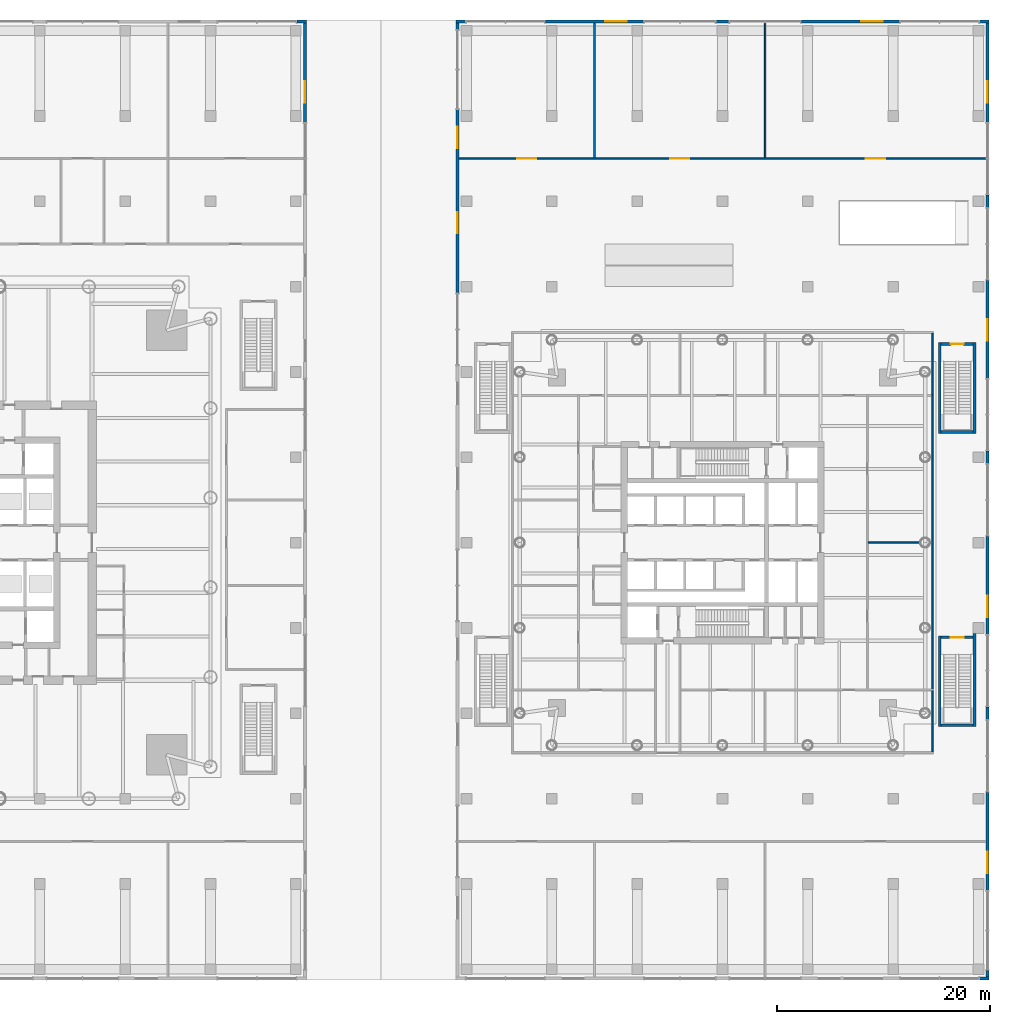
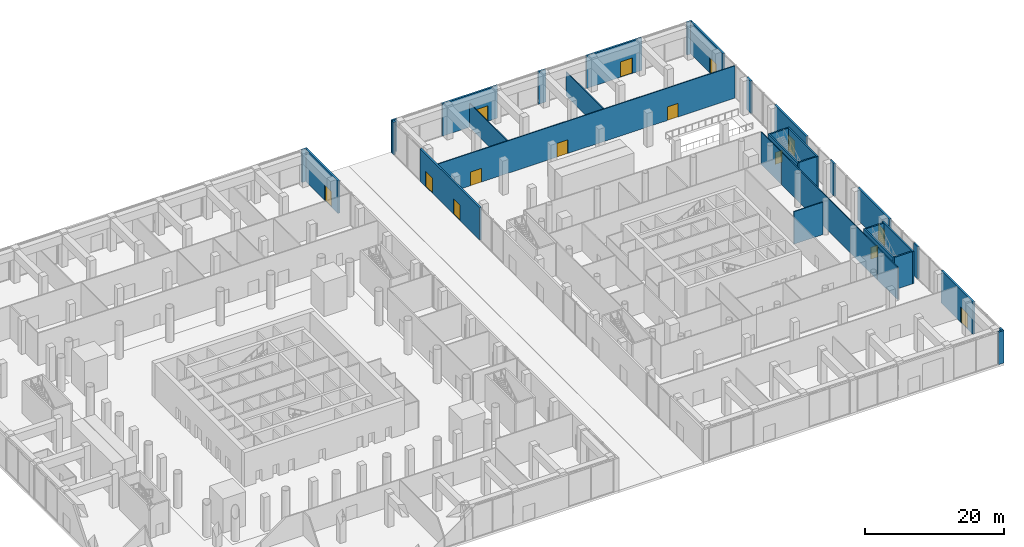
# One storey, part 33 of 39: 33 walls, 14 doors, 14 openings.
"""IFC4 building model written with IfcOpenShell, lengths in metres."""

import ifcopenshell
import ifcopenshell.guid

model = None  # the IFC model being written
_history = None  # IfcOwnerHistory: only IFC2X3 demands one
_inside = {}  # id of a spatial element -> (the spatial element, [elements in it])
_under = {}  # id of a project, library or spatial element -> (it, [spatial elements below it])
_declared = {}  # id of a project -> (the project, [libraries it declares])
_typed = {}  # id of a type object -> (the type object, [elements of that type])
_made_of = {}  # id of a material, layer set ... -> (it, [elements and type objects made of it])


def new_model(schema):
    """Start an empty IFC model of exactly this schema.

    Asked for "IFC4X3", IfcOpenShell would pick the latest addendum, in which some entities
    have other attributes; the version numbers below select the first issue.
    IFC2X3 requires an IfcOwnerHistory on every rooted entity: one is made here for all.
    """
    global model, _history
    if schema == "IFC4X3":
        model = ifcopenshell.file(schema_version=(4, 3, 0, 0))
    else:
        model = ifcopenshell.file(schema=schema)
    _inside.clear()
    _under.clear()
    _declared.clear()
    _typed.clear()
    _made_of.clear()
    _history = None
    if model.schema == "IFC2X3":
        org = make("IfcOrganization", Name="unknown")
        user = make(
            "IfcPersonAndOrganization",
            ThePerson=make("IfcPerson", FamilyName="unknown"),
            TheOrganization=org,
        )
        app = make(
            "IfcApplication",
            ApplicationDeveloper=org,
            Version="unknown",
            ApplicationFullName="unknown",
            ApplicationIdentifier="unknown",
        )
        _history = make(
            "IfcOwnerHistory",
            OwningUser=user,
            OwningApplication=app,
            ChangeAction="ADDED",
            CreationDate=0,
        )
    return model


def make(cls, **values):
    """One entity of the class cls with the attributes given. An attribute that is None is left unset."""
    return model.create_entity(
        cls, **{name: value for name, value in values.items() if value is not None}
    )


def rooted(cls, **values):
    """An entity with a GlobalId (a new one), such as an element, a storey or a relation."""
    return make(cls, GlobalId=ifcopenshell.guid.new(), OwnerHistory=_history, **values)


def si_unit(unit_type, name, prefix=None):
    """IfcSIUnit, for example si_unit("LENGTHUNIT", "METRE", prefix="MILLI")."""
    return make("IfcSIUnit", UnitType=unit_type, Prefix=prefix, Name=name)


def assignment(units):
    """IfcUnitAssignment: the units of a project."""
    return None if units is None else make("IfcUnitAssignment", Units=units)


def point(xyz):
    """IfcCartesianPoint."""
    return None if xyz is None else make("IfcCartesianPoint", Coordinates=xyz)


def direction(xyz):
    """IfcDirection."""
    return None if xyz is None else make("IfcDirection", DirectionRatios=xyz)


def frame(location, z_axis=None, x_axis=None):
    """IfcAxis2Placement3D, a coordinate frame: its origin and axes. An axis left out is left unset."""
    return make(
        "IfcAxis2Placement3D",
        Location=point(location),
        Axis=direction(z_axis),
        RefDirection=direction(x_axis),
    )


def frame_2d(location, x_axis=None):
    """IfcAxis2Placement2D, a coordinate frame in the plane: its origin and x axis."""
    return make(
        "IfcAxis2Placement2D", Location=point(location), RefDirection=direction(x_axis)
    )


def origin():
    """The frame at (0, 0, 0) with its axes left unset."""
    return frame((0.0, 0.0, 0.0))


def place(relative_to, where):
    """IfcLocalPlacement: puts the frame where relative to a parent placement (None: the world)."""
    return make(
        "IfcLocalPlacement", PlacementRelTo=relative_to, RelativePlacement=where
    )


def context(
    kind, dimensions, precision=None, world=None, true_north=None, identifier=None
):
    """IfcGeometricRepresentationContext, for example the 3D "Model" context."""
    return make(
        "IfcGeometricRepresentationContext",
        ContextIdentifier=identifier,
        ContextType=kind,
        CoordinateSpaceDimension=dimensions,
        Precision=precision,
        WorldCoordinateSystem=world,
        TrueNorth=true_north,
    )


def subcontext(parent, identifier, kind, view, scale=None):
    """IfcGeometricRepresentationSubContext, for example "Body" below "Model"."""
    return make(
        "IfcGeometricRepresentationSubContext",
        ContextIdentifier=identifier,
        ContextType=kind,
        ParentContext=parent,
        TargetScale=scale,
        TargetView=view,
    )


def project(units=None, contexts=None):
    """IfcProject with its units and contexts."""
    return rooted(
        "IfcProject",
        Name="project",
        RepresentationContexts=contexts,
        UnitsInContext=assignment(units),
    )


def spatial(cls, under=None, at=None, **own):
    """A site, building, storey or space (cls), placed at a placement, below another one or the project."""
    s = rooted(cls, ObjectPlacement=at, **own)
    if under is not None:
        _under.setdefault(under.id(), (under, []))[1].append(s)
    return s


def profile(cls, at=None, kind="AREA", **sizes):
    """A parametric profile (cls). Its sizes go by their IFC names, for example OverallWidth=200.0."""
    return make(cls, ProfileType=kind, Position=at, **sizes)


def rectangle(**sizes):
    """IfcRectangleProfileDef."""
    return profile("IfcRectangleProfileDef", **sizes)


def extrude(swept, where, along, depth):
    """IfcExtrudedAreaSolid: the profile swept, set in the frame where, extruded along a direction by depth."""
    return make(
        "IfcExtrudedAreaSolid",
        SweptArea=swept,
        Position=where,
        ExtrudedDirection=direction(along),
        Depth=depth,
    )


def shape(context_of_items, identifier, shape_type, items):
    """IfcShapeRepresentation: the items that make up one representation, for example the "Body"."""
    return make(
        "IfcShapeRepresentation",
        ContextOfItems=context_of_items,
        RepresentationIdentifier=identifier,
        RepresentationType=shape_type,
        Items=items,
    )


def material(Name=None, Category=None):
    """IfcMaterial."""
    return make("IfcMaterial", Name=Name, Category=Category)


def layer(
    of_material, thickness, ventilated=None, Name=None, Category=None, Priority=None
):
    """IfcMaterialLayer: one layer of a wall or slab, of a material (None: an air gap)."""
    return make(
        "IfcMaterialLayer",
        Material=of_material,
        LayerThickness=thickness,
        IsVentilated=ventilated,
        Name=Name,
        Category=Category,
        Priority=Priority,
    )


def layer_set(layers, Name=None):
    """IfcMaterialLayerSet."""
    return make("IfcMaterialLayerSet", MaterialLayers=layers, LayerSetName=Name)


def made_of(thing, what):
    """Note that an element or type object is made of a material, layer set ...; save() writes the relation."""
    if what is not None:
        _made_of.setdefault(what.id(), (what, []))[1].append(thing)
    return thing


def type_object(cls, material=None, **own):
    """A type object (cls), such as IfcWallType, which elements share."""
    return made_of(rooted(cls, **own), material)


def element(
    cls,
    number,
    at=None,
    inside=None,
    cuts=None,
    type_object=None,
    material=None,
    context=None,
    identifier="Body",
    shape_type=None,
    held_by="IfcProductDefinitionShape",
    body=None,
    shapes=None,
    **own,
):
    """One element of the class cls, such as IfcWall. Its Tag is "e" and its number.

    at: its placement. inside: the storey or other place that contains it. cuts: it is an
    opening in that element (IfcRelVoidsElement). A single representation is given by context,
    identifier, shape_type and body (its items); several are given by shapes. held_by: the class
    of the entity that holds the representations. save() writes the other relations.
    """
    e = rooted(cls, Tag="e%d" % number, ObjectPlacement=at, **own)
    if body is not None:
        shapes = [shape(context, identifier, shape_type, body)]
    if shapes is not None:
        e.Representation = make(held_by, Representations=shapes)
    if inside is not None:
        _inside.setdefault(inside.id(), (inside, []))[1].append(e)
    if cuts is not None:
        rooted(
            "IfcRelVoidsElement", RelatingBuildingElement=cuts, RelatedOpeningElement=e
        )
    if type_object is not None:
        _typed.setdefault(type_object.id(), (type_object, []))[1].append(e)
    return made_of(e, material)


def fill(opening, filler):
    """IfcRelFillsElement: the door or window that sits in an opening."""
    return rooted(
        "IfcRelFillsElement",
        RelatingOpeningElement=opening,
        RelatedBuildingElement=filler,
    )


def aggregate(whole, parts):
    """IfcRelAggregates: a whole, such as a stair, and the parts it consists of."""
    return rooted("IfcRelAggregates", RelatingObject=whole, RelatedObjects=parts)


def save(model, path):
    """Write the relations noted so far, then the file.

    IfcRelAggregates (storeys below a building ...), IfcRelContainedInSpatialStructure (elements
    in a storey), IfcRelDefinesByType, IfcRelAssociatesMaterial and IfcRelDeclares: one each for
    every whole, place, type object, material and project.
    """
    for whole, parts in _under.values():
        aggregate(whole, parts)
    for where, things in _inside.values():
        rooted(
            "IfcRelContainedInSpatialStructure",
            RelatedElements=things,
            RelatingStructure=where,
        )
    for kind, things in _typed.values():
        rooted("IfcRelDefinesByType", RelatedObjects=things, RelatingType=kind)
    for what, things in _made_of.values():
        rooted("IfcRelAssociatesMaterial", RelatedObjects=things, RelatingMaterial=what)
    for by, libraries in _declared.values():
        rooted("IfcRelDeclares", RelatingContext=by, RelatedDefinitions=libraries)
    model.write(path)


model = new_model("IFC4")

# Units and contexts
model_context = context("Model", 3, precision=1e-05, world=origin(), true_north=direction((0.0, 1.0)))
body_context = subcontext(model_context, "Body", "Model", "MODEL_VIEW")
ifc_project = project(units=[si_unit("LENGTHUNIT", "METRE"), si_unit("AREAUNIT", "SQUARE_METRE"), si_unit("VOLUMEUNIT", "CUBIC_METRE"), si_unit("PLANEANGLEUNIT", "RADIAN"), si_unit("MASSUNIT", "GRAM", prefix="KILO")], contexts=[model_context])

# Site, building, storey
site_placement = place(None, origin())
site = spatial("IfcSite", under=ifc_project, at=site_placement, CompositionType="ELEMENT")
building_placement = place(site_placement, origin())
building = spatial("IfcBuilding", under=site, at=building_placement, Name="Ostroluk Exchange", CompositionType="ELEMENT")
storey_placement = place(building_placement, origin())
storey = spatial("IfcBuildingStorey", under=building, at=storey_placement, Name="L00", CompositionType="ELEMENT", Elevation=0.0)

# Walls
ifc_material_1 = material(Name="Concrete blockwork", Category="masonry")
ifc_layer_1 = layer(ifc_material_1, 0.25)
ifc_layer_set_1 = layer_set([ifc_layer_1], Name="Blockwork stair enclosure wall 250")
wall_type_1 = type_object("IfcWallType", Name="Blockwork stair enclosure wall 250", PredefinedType="SOLIDWALL", material=ifc_layer_set_1)
wall_1_placement = place(storey_placement, frame((137.375, 28.75, 0.0), z_axis=(0.0, 0.0, 1.0), x_axis=(0.0, 1.0, 0.0)))
element("IfcWall", 1, at=wall_1_placement, inside=storey, type_object=wall_type_1, Name="Stair PS7 enclosure wall", PredefinedType="SOLIDWALL", context=body_context, shape_type="SweptSolid", body=[
    extrude(rectangle(XDim=8.5, YDim=0.25, at=frame_2d((4.25, 0.0))), origin(), (0.0, 0.0, 1.0), 5.699951171875),
])
wall_2_placement = place(storey_placement, frame((140.625, 28.75, 0.0), z_axis=(0.0, 0.0, 1.0), x_axis=(0.0, 1.0, 0.0)))
element("IfcWall", 2, at=wall_2_placement, inside=storey, type_object=wall_type_1, Name="Stair PS7 enclosure wall", PredefinedType="SOLIDWALL", context=body_context, shape_type="SweptSolid", body=[
    extrude(rectangle(XDim=8.75, YDim=0.25, at=frame_2d((4.375, 0.0))), origin(), (0.0, 0.0, 1.0), 5.699951171875),
])
wall_3_placement = place(storey_placement, frame((137.5, 28.875, 0.0), z_axis=(0.0, 0.0, 1.0), x_axis=(1.0, 0.0, 0.0)))
element("IfcWall", 3, at=wall_3_placement, inside=storey, type_object=wall_type_1, Name="Stair PS7 enclosure wall", PredefinedType="SOLIDWALL", context=body_context, shape_type="SweptSolid", body=[
    extrude(rectangle(XDim=3.0, YDim=0.25, at=frame_2d((1.5, 0.0))), origin(), (0.0, 0.0, 1.0), 5.699951171875),
])

# Wall, opening, door
wall_4_placement = place(storey_placement, frame((137.5, 37.125, 0.0), z_axis=(0.0, 0.0, 1.0), x_axis=(1.0, 0.0, 0.0)))
wall_4 = element("IfcWall", 4, at=wall_4_placement, inside=storey, type_object=wall_type_1, Name="Stair PS7 enclosure wall", PredefinedType="SOLIDWALL", context=body_context, shape_type="SweptSolid", body=[
    extrude(rectangle(XDim=3.0, YDim=0.25, at=frame_2d((1.5, 0.0))), origin(), (0.0, 0.0, 1.0), 5.699951171875),
])
opening_1_placement = place(wall_4_placement, frame((0.89990234375, 0.0, 0.0)))
opening_1 = element("IfcOpeningElement", 5, at=opening_1_placement, cuts=wall_4, Name="Opening FD60S", PredefinedType="OPENING", context=body_context, shape_type="SweptSolid", body=[
    extrude(rectangle(XDim=1.199951171875, YDim=2.10009765625, at=frame_2d((0.60009765625, 1.050048828125))), frame((0.0, 0.135009765625, 0.0), z_axis=(0.0, -1.0, 0.0), x_axis=(1.0, 0.0, 0.0)), (0.0, 0.0, 1.0), 0.27001953125),
])
ifc_material_2 = material(Name="Steel", Category="steel")
door_type_1 = type_object("IfcDoorType", Name="Stair door EI 60 1200 x 2100", OperationType="SINGLE_SWING_LEFT", PredefinedType="DOOR", material=ifc_material_2)
door_1_placement = place(opening_1_placement, origin())
door_1 = element("IfcDoor", 6, at=door_1_placement, inside=storey, type_object=door_type_1, Name="Stair PS7 door", OperationType="SINGLE_SWING_LEFT", OverallHeight=2.10009765625, OverallWidth=1.199951171875, PredefinedType="DOOR", context=body_context, shape_type="SweptSolid", body=[
    extrude(rectangle(XDim=1.199951171875, YDim=2.10009765625, at=frame_2d((0.60009765625, 1.050048828125))), frame((0.0, 0.02490234375, 0.0), z_axis=(0.0, -1.0, 0.0), x_axis=(1.0, 0.0, 0.0)), (0.0, 0.0, 1.0), 0.050048828125),
])
fill(opening_1, door_1)

# Walls
for number, where, z_axis, x_axis, name in (
    (7, (137.375, 56.25, 0.0), (0.0, 0.0, 1.0), (0.0, 1.0, 0.0), "Stair PS8 enclosure wall"),
    (8, (140.625, 56.25, 0.0), (0.0, 0.0, 1.0), (0.0, 1.0, 0.0), "Stair PS8 enclosure wall"),
):
    element("IfcWall", number, at=place(storey_placement, frame(where, z_axis=z_axis, x_axis=x_axis)), inside=storey, type_object=wall_type_1, Name=name, PredefinedType="SOLIDWALL", context=body_context, shape_type="SweptSolid", body=[
        extrude(rectangle(XDim=8.5, YDim=0.25, at=frame_2d((4.25, 0.0))), origin(), (0.0, 0.0, 1.0), 5.699951171875),
    ])
wall_5_placement = place(storey_placement, frame((137.5, 56.375, 0.0), z_axis=(0.0, 0.0, 1.0), x_axis=(1.0, 0.0, 0.0)))
element("IfcWall", 9, at=wall_5_placement, inside=storey, type_object=wall_type_1, Name="Stair PS8 enclosure wall", PredefinedType="SOLIDWALL", context=body_context, shape_type="SweptSolid", body=[
    extrude(rectangle(XDim=3.0, YDim=0.25, at=frame_2d((1.5, 0.0))), origin(), (0.0, 0.0, 1.0), 5.699951171875),
])

# Wall, opening, door
wall_6_placement = place(storey_placement, frame((137.5, 64.625, 0.0), z_axis=(0.0, 0.0, 1.0), x_axis=(1.0, 0.0, 0.0)))
wall_6 = element("IfcWall", 10, at=wall_6_placement, inside=storey, type_object=wall_type_1, Name="Stair PS8 enclosure wall", PredefinedType="SOLIDWALL", context=body_context, shape_type="SweptSolid", body=[
    extrude(rectangle(XDim=3.0, YDim=0.25, at=frame_2d((1.5, 0.0))), origin(), (0.0, 0.0, 1.0), 5.699951171875),
])
opening_2_placement = place(wall_6_placement, frame((0.89990234375, 0.0, 0.0)))
opening_2 = element("IfcOpeningElement", 11, at=opening_2_placement, cuts=wall_6, Name="Opening FD60S", PredefinedType="OPENING", context=body_context, shape_type="SweptSolid", body=[
    extrude(rectangle(XDim=1.199951171875, YDim=2.10009765625, at=frame_2d((0.60009765625, 1.050048828125))), frame((0.0, 0.135009765625, 0.0), z_axis=(0.0, -1.0, 0.0), x_axis=(1.0, 0.0, 0.0)), (0.0, 0.0, 1.0), 0.27001953125),
])
door_2_placement = place(opening_2_placement, origin())
door_2 = element("IfcDoor", 12, at=door_2_placement, inside=storey, type_object=door_type_1, Name="Stair PS8 door", OperationType="SINGLE_SWING_LEFT", OverallHeight=2.10009765625, OverallWidth=1.199951171875, PredefinedType="DOOR", context=body_context, shape_type="SweptSolid", body=[
    extrude(rectangle(XDim=1.199951171875, YDim=2.10009765625, at=frame_2d((0.60009765625, 1.050048828125))), frame((0.0, 0.02490234375, 0.0), z_axis=(0.0, -1.0, 0.0), x_axis=(1.0, 0.0, 0.0)), (0.0, 0.0, 1.0), 0.050048828125),
])
fill(opening_2, door_2)

ifc_material_3 = material(Name="Limestone", Category="masonry")
ifc_layer_2 = layer(ifc_material_3, 0.300048828125)
ifc_layer_set_2 = layer_set([ifc_layer_2], Name="Limestone facade wall 300")
wall_type_2 = type_object("IfcWallType", Name="Limestone facade wall 300", PredefinedType="SOLIDWALL", material=ifc_layer_set_2)
wall_7_placement = place(storey_placement, frame((77.85009765625, 85.39990234375, 0.0), z_axis=(0.0, 0.0, 1.0), x_axis=(0.0, 1.0, 0.0)))
wall_7 = element("IfcWall", 13, at=wall_7_placement, inside=storey, type_object=wall_type_2, Name="Podium west E wall L00 5a", PredefinedType="SOLIDWALL", context=body_context, shape_type="SweptSolid", body=[
    extrude(rectangle(XDim=9.300048828125, YDim=0.300048828125, at=frame_2d((4.64990234375, 0.0))), origin(), (0.0, 0.0, 1.0), 5.699951171875),
])
opening_3_placement = place(wall_7_placement, frame((1.85009765625, 0.0, 0.0)))
opening_3 = element("IfcOpeningElement", 14, at=opening_3_placement, cuts=wall_7, Name="Opening D-E1", PredefinedType="OPENING", context=body_context, shape_type="SweptSolid", body=[
    extrude(rectangle(XDim=2.0, YDim=2.699951171875, at=frame_2d((1.0, 1.35009765625))), frame((0.0, 0.159912109375, 0.0), z_axis=(0.0, -1.0, 0.0), x_axis=(1.0, 0.0, 0.0)), (0.0, 0.0, 1.0), 0.320068359375),
])
ifc_material_4 = material(Name="Bronze framed glazed door", Category="aluminium")
door_type_2 = type_object("IfcDoorType", Name="Entrance double door 2000 x 2700", OperationType="DOUBLE_DOOR_SINGLE_SWING", PredefinedType="DOOR", material=ifc_material_4)
door_3_placement = place(opening_3_placement, origin())
door_3 = element("IfcDoor", 15, at=door_3_placement, inside=storey, type_object=door_type_2, Name="Podium west entrance E 11", OperationType="DOUBLE_DOOR_SINGLE_SWING", OverallHeight=2.699951171875, OverallWidth=2.0, PredefinedType="DOOR", context=body_context, shape_type="SweptSolid", body=[
    extrude(rectangle(XDim=2.0, YDim=2.699951171875, at=frame_2d((1.0, 1.35009765625))), frame((0.0, 0.02490234375, 0.0), z_axis=(0.0, -1.0, 0.0), x_axis=(1.0, 0.0, 0.0)), (0.0, 0.0, 1.0), 0.050048828125),
])
fill(opening_3, door_3)

# Walls
for number, where, z_axis, x_axis, name in (
    (16, (78.0, 94.85009765625, 0.0), (0.0, 0.0, 1.0), (-1.0, 0.0, 0.0), "Podium west N wall L00 1a"),
    (17, (141.10009765625, 5.14990234375, 0.0), (0.0, 0.0, 1.0), (1.0, 0.0, 0.0), "Podium east S wall L00 5a"),
):
    element("IfcWall", number, at=place(storey_placement, frame(where, z_axis=z_axis, x_axis=x_axis)), inside=storey, type_object=wall_type_2, Name=name, PredefinedType="SOLIDWALL", context=body_context, shape_type="SweptSolid", body=[
        extrude(rectangle(XDim=0.89990234375, YDim=0.300048828125, at=frame_2d((0.449951171875, 0.0))), origin(), (0.0, 0.0, 1.0), 5.699951171875),
    ])
wall_8_placement = place(storey_placement, frame((141.85009765625, 5.300048828125, 0.0), z_axis=(0.0, 0.0, 1.0), x_axis=(0.0, 1.0, 0.0)))
element("IfcWall", 18, at=wall_8_placement, inside=storey, type_object=wall_type_2, Name="Podium east E wall L00 1a", PredefinedType="SOLIDWALL", context=body_context, shape_type="SweptSolid", body=[
    extrude(rectangle(XDim=0.599853515625, YDim=0.300048828125, at=frame_2d((0.2998046875, 0.0))), origin(), (0.0, 0.0, 1.0), 5.699951171875),
])

# Wall, opening, door
wall_9_placement = place(storey_placement, frame((141.85009765625, 13.39990234375, 0.0), z_axis=(0.0, 0.0, 1.0), x_axis=(0.0, 1.0, 0.0)))
wall_9 = element("IfcWall", 19, at=wall_9_placement, inside=storey, type_object=wall_type_2, Name="Podium east E wall L00 2a", PredefinedType="SOLIDWALL", context=body_context, shape_type="SweptSolid", body=[
    extrude(rectangle(XDim=9.2001953125, YDim=0.300048828125, at=frame_2d((4.60009765625, 0.0))), origin(), (0.0, 0.0, 1.0), 5.699951171875),
])
opening_4_placement = place(wall_9_placement, frame((1.60009765625, 0.0, 0.0)))
opening_4 = element("IfcOpeningElement", 20, at=opening_4_placement, cuts=wall_9, Name="Opening D-E1", PredefinedType="OPENING", context=body_context, shape_type="SweptSolid", body=[
    extrude(rectangle(XDim=2.0, YDim=2.699951171875, at=frame_2d((1.0, 1.35009765625))), frame((0.0, 0.159912109375, 0.0), z_axis=(0.0, -1.0, 0.0), x_axis=(1.0, 0.0, 0.0)), (0.0, 0.0, 1.0), 0.320068359375),
])
door_4_placement = place(opening_4_placement, origin())
door_4 = element("IfcDoor", 21, at=door_4_placement, inside=storey, type_object=door_type_2, Name="Podium east entrance E 2", OperationType="DOUBLE_DOOR_SINGLE_SWING", OverallHeight=2.699951171875, OverallWidth=2.0, PredefinedType="DOOR", context=body_context, shape_type="SweptSolid", body=[
    extrude(rectangle(XDim=2.0, YDim=2.699951171875, at=frame_2d((1.0, 1.35009765625))), frame((0.0, 0.02490234375, 0.0), z_axis=(0.0, -1.0, 0.0), x_axis=(1.0, 0.0, 0.0)), (0.0, 0.0, 1.0), 0.050048828125),
])
fill(opening_4, door_4)

# Wall
wall_10_placement = place(storey_placement, frame((141.85009765625, 29.39990234375, 0.0), z_axis=(0.0, 0.0, 1.0), x_axis=(0.0, 1.0, 0.0)))
element("IfcWall", 22, at=wall_10_placement, inside=storey, type_object=wall_type_2, Name="Podium east E wall L00 3a", PredefinedType="SOLIDWALL", context=body_context, shape_type="SweptSolid", body=[
    extrude(rectangle(XDim=1.2001953125, YDim=0.300048828125, at=frame_2d((0.60009765625, 0.0))), origin(), (0.0, 0.0, 1.0), 5.699951171875),
])

# Wall, opening, door
wall_11_placement = place(storey_placement, frame((141.85009765625, 37.39990234375, 0.0), z_axis=(0.0, 0.0, 1.0), x_axis=(0.0, 1.0, 0.0)))
wall_11 = element("IfcWall", 23, at=wall_11_placement, inside=storey, type_object=wall_type_2, Name="Podium east E wall L00 4a", PredefinedType="SOLIDWALL", context=body_context, shape_type="SweptSolid", body=[
    extrude(rectangle(XDim=9.2001953125, YDim=0.300048828125, at=frame_2d((4.60009765625, 0.0))), origin(), (0.0, 0.0, 1.0), 5.699951171875),
])
opening_5_placement = place(wall_11_placement, frame((1.60009765625, 0.0, 0.0)))
opening_5 = element("IfcOpeningElement", 24, at=opening_5_placement, cuts=wall_11, Name="Opening D-E1", PredefinedType="OPENING", context=body_context, shape_type="SweptSolid", body=[
    extrude(rectangle(XDim=2.0, YDim=2.699951171875, at=frame_2d((1.0, 1.35009765625))), frame((0.0, 0.159912109375, 0.0), z_axis=(0.0, -1.0, 0.0), x_axis=(1.0, 0.0, 0.0)), (0.0, 0.0, 1.0), 0.320068359375),
])
door_5_placement = place(opening_5_placement, origin())
door_5 = element("IfcDoor", 25, at=door_5_placement, inside=storey, type_object=door_type_2, Name="Podium east entrance E 5", OperationType="DOUBLE_DOOR_SINGLE_SWING", OverallHeight=2.699951171875, OverallWidth=2.0, PredefinedType="DOOR", context=body_context, shape_type="SweptSolid", body=[
    extrude(rectangle(XDim=2.0, YDim=2.699951171875, at=frame_2d((1.0, 1.35009765625))), frame((0.0, 0.02490234375, 0.0), z_axis=(0.0, -1.0, 0.0), x_axis=(1.0, 0.0, 0.0)), (0.0, 0.0, 1.0), 0.050048828125),
])
fill(opening_5, door_5)

# Wall
wall_12_placement = place(storey_placement, frame((141.85009765625, 53.39990234375, 0.0), z_axis=(0.0, 0.0, 1.0), x_axis=(0.0, 1.0, 0.0)))
element("IfcWall", 26, at=wall_12_placement, inside=storey, type_object=wall_type_2, Name="Podium east E wall L00 5a", PredefinedType="SOLIDWALL", context=body_context, shape_type="SweptSolid", body=[
    extrude(rectangle(XDim=1.2001953125, YDim=0.300048828125, at=frame_2d((0.60009765625, 0.0))), origin(), (0.0, 0.0, 1.0), 5.699951171875),
])

# Wall, opening, door
wall_13_placement = place(storey_placement, frame((141.85009765625, 61.39990234375, 0.0), z_axis=(0.0, 0.0, 1.0), x_axis=(0.0, 1.0, 0.0)))
wall_13 = element("IfcWall", 27, at=wall_13_placement, inside=storey, type_object=wall_type_2, Name="Podium east E wall L00 6a", PredefinedType="SOLIDWALL", context=body_context, shape_type="SweptSolid", body=[
    extrude(rectangle(XDim=9.2001953125, YDim=0.300048828125, at=frame_2d((4.60009765625, 0.0))), origin(), (0.0, 0.0, 1.0), 5.699951171875),
])
opening_6_placement = place(wall_13_placement, frame((3.550048828125, 0.0, 0.0)))
opening_6 = element("IfcOpeningElement", 28, at=opening_6_placement, cuts=wall_13, Name="Opening D-E1", PredefinedType="OPENING", context=body_context, shape_type="SweptSolid", body=[
    extrude(rectangle(XDim=2.0, YDim=2.699951171875, at=frame_2d((1.0, 1.35009765625))), frame((0.0, 0.159912109375, 0.0), z_axis=(0.0, -1.0, 0.0), x_axis=(1.0, 0.0, 0.0)), (0.0, 0.0, 1.0), 0.320068359375),
])
door_6_placement = place(opening_6_placement, origin())
door_6 = element("IfcDoor", 29, at=door_6_placement, inside=storey, type_object=door_type_2, Name="Podium east entrance E 8", OperationType="DOUBLE_DOOR_SINGLE_SWING", OverallHeight=2.699951171875, OverallWidth=2.0, PredefinedType="DOOR", context=body_context, shape_type="SweptSolid", body=[
    extrude(rectangle(XDim=2.0, YDim=2.699951171875, at=frame_2d((1.0, 1.35009765625))), frame((0.0, 0.02490234375, 0.0), z_axis=(0.0, -1.0, 0.0), x_axis=(1.0, 0.0, 0.0)), (0.0, 0.0, 1.0), 0.050048828125),
])
fill(opening_6, door_6)

# Wall
wall_14_placement = place(storey_placement, frame((141.85009765625, 77.39990234375, 0.0), z_axis=(0.0, 0.0, 1.0), x_axis=(0.0, 1.0, 0.0)))
element("IfcWall", 30, at=wall_14_placement, inside=storey, type_object=wall_type_2, Name="Podium east E wall L00 7a", PredefinedType="SOLIDWALL", context=body_context, shape_type="SweptSolid", body=[
    extrude(rectangle(XDim=1.2001953125, YDim=0.300048828125, at=frame_2d((0.60009765625, 0.0))), origin(), (0.0, 0.0, 1.0), 5.699951171875),
])

# Wall, opening, door
wall_15_placement = place(storey_placement, frame((141.85009765625, 85.39990234375, 0.0), z_axis=(0.0, 0.0, 1.0), x_axis=(0.0, 1.0, 0.0)))
wall_15 = element("IfcWall", 31, at=wall_15_placement, inside=storey, type_object=wall_type_2, Name="Podium east E wall L00 8a", PredefinedType="SOLIDWALL", context=body_context, shape_type="SweptSolid", body=[
    extrude(rectangle(XDim=9.300048828125, YDim=0.300048828125, at=frame_2d((4.64990234375, 0.0))), origin(), (0.0, 0.0, 1.0), 5.699951171875),
])
opening_7_placement = place(wall_15_placement, frame((1.85009765625, 0.0, 0.0)))
opening_7 = element("IfcOpeningElement", 32, at=opening_7_placement, cuts=wall_15, Name="Opening D-E1", PredefinedType="OPENING", context=body_context, shape_type="SweptSolid", body=[
    extrude(rectangle(XDim=2.0, YDim=2.699951171875, at=frame_2d((1.0, 1.35009765625))), frame((0.0, 0.159912109375, 0.0), z_axis=(0.0, -1.0, 0.0), x_axis=(1.0, 0.0, 0.0)), (0.0, 0.0, 1.0), 0.320068359375),
])
door_7_placement = place(opening_7_placement, origin())
door_7 = element("IfcDoor", 33, at=door_7_placement, inside=storey, type_object=door_type_2, Name="Podium east entrance E 11", OperationType="DOUBLE_DOOR_SINGLE_SWING", OverallHeight=2.699951171875, OverallWidth=2.0, PredefinedType="DOOR", context=body_context, shape_type="SweptSolid", body=[
    extrude(rectangle(XDim=2.0, YDim=2.699951171875, at=frame_2d((1.0, 1.35009765625))), frame((0.0, 0.02490234375, 0.0), z_axis=(0.0, -1.0, 0.0), x_axis=(1.0, 0.0, 0.0)), (0.0, 0.0, 1.0), 0.050048828125),
])
fill(opening_7, door_7)

# Wall
wall_16_placement = place(storey_placement, frame((142.0, 94.85009765625, 0.0), z_axis=(0.0, 0.0, 1.0), x_axis=(-1.0, 0.0, 0.0)))
element("IfcWall", 34, at=wall_16_placement, inside=storey, type_object=wall_type_2, Name="Podium east N wall L00 1a", PredefinedType="SOLIDWALL", context=body_context, shape_type="SweptSolid", body=[
    extrude(rectangle(XDim=0.89990234375, YDim=0.300048828125, at=frame_2d((0.449951171875, 0.0))), origin(), (0.0, 0.0, 1.0), 5.699951171875),
])

# Wall, opening, door
wall_17_placement = place(storey_placement, frame((133.60009765625, 94.85009765625, 0.0), z_axis=(0.0, 0.0, 1.0), x_axis=(-1.0, 0.0, 0.0)))
wall_17 = element("IfcWall", 35, at=wall_17_placement, inside=storey, type_object=wall_type_2, Name="Podium east N wall L00 2a", PredefinedType="SOLIDWALL", context=body_context, shape_type="SweptSolid", body=[
    extrude(rectangle(XDim=9.2001953125, YDim=0.300048828125, at=frame_2d((4.60009765625, 0.0))), origin(), (0.0, 0.0, 1.0), 5.699951171875),
])
opening_8_placement = place(wall_17_placement, frame((1.60009765625, 0.0, 0.0)))
opening_8 = element("IfcOpeningElement", 36, at=opening_8_placement, cuts=wall_17, Name="Opening D-E1", PredefinedType="OPENING", context=body_context, shape_type="SweptSolid", body=[
    extrude(rectangle(XDim=2.0, YDim=2.699951171875, at=frame_2d((1.0, 1.35009765625))), frame((0.0, 0.159912109375, 0.0), z_axis=(0.0, -1.0, 0.0), x_axis=(1.0, 0.0, 0.0)), (0.0, 0.0, 1.0), 0.320068359375),
])
door_8_placement = place(opening_8_placement, origin())
door_8 = element("IfcDoor", 37, at=door_8_placement, inside=storey, type_object=door_type_2, Name="Podium east entrance N 2", OperationType="DOUBLE_DOOR_SINGLE_SWING", OverallHeight=2.699951171875, OverallWidth=2.0, PredefinedType="DOOR", context=body_context, shape_type="SweptSolid", body=[
    extrude(rectangle(XDim=2.0, YDim=2.699951171875, at=frame_2d((1.0, 1.35009765625))), frame((0.0, 0.02490234375, 0.0), z_axis=(0.0, -1.0, 0.0), x_axis=(1.0, 0.0, 0.0)), (0.0, 0.0, 1.0), 0.050048828125),
])
fill(opening_8, door_8)

# Wall
wall_18_placement = place(storey_placement, frame((117.60009765625, 94.85009765625, 0.0), z_axis=(0.0, 0.0, 1.0), x_axis=(-1.0, 0.0, 0.0)))
element("IfcWall", 38, at=wall_18_placement, inside=storey, type_object=wall_type_2, Name="Podium east N wall L00 3a", PredefinedType="SOLIDWALL", context=body_context, shape_type="SweptSolid", body=[
    extrude(rectangle(XDim=1.2001953125, YDim=0.300048828125, at=frame_2d((0.60009765625, 0.0))), origin(), (0.0, 0.0, 1.0), 5.699951171875),
])

# Wall, opening, door
wall_19_placement = place(storey_placement, frame((109.60009765625, 94.85009765625, 0.0), z_axis=(0.0, 0.0, 1.0), x_axis=(-1.0, 0.0, 0.0)))
wall_19 = element("IfcWall", 39, at=wall_19_placement, inside=storey, type_object=wall_type_2, Name="Podium east N wall L00 4a", PredefinedType="SOLIDWALL", context=body_context, shape_type="SweptSolid", body=[
    extrude(rectangle(XDim=9.2001953125, YDim=0.300048828125, at=frame_2d((4.60009765625, 0.0))), origin(), (0.0, 0.0, 1.0), 5.699951171875),
])
opening_9_placement = place(wall_19_placement, frame((1.60009765625, 0.0, 0.0)))
opening_9 = element("IfcOpeningElement", 40, at=opening_9_placement, cuts=wall_19, Name="Opening D-E1", PredefinedType="OPENING", context=body_context, shape_type="SweptSolid", body=[
    extrude(rectangle(XDim=2.0, YDim=2.699951171875, at=frame_2d((1.0, 1.35009765625))), frame((0.0, 0.159912109375, 0.0), z_axis=(0.0, -1.0, 0.0), x_axis=(1.0, 0.0, 0.0)), (0.0, 0.0, 1.0), 0.320068359375),
])
door_9_placement = place(opening_9_placement, origin())
door_9 = element("IfcDoor", 41, at=door_9_placement, inside=storey, type_object=door_type_2, Name="Podium east entrance N 5", OperationType="DOUBLE_DOOR_SINGLE_SWING", OverallHeight=2.699951171875, OverallWidth=2.0, PredefinedType="DOOR", context=body_context, shape_type="SweptSolid", body=[
    extrude(rectangle(XDim=2.0, YDim=2.699951171875, at=frame_2d((1.0, 1.35009765625))), frame((0.0, 0.02490234375, 0.0), z_axis=(0.0, -1.0, 0.0), x_axis=(1.0, 0.0, 0.0)), (0.0, 0.0, 1.0), 0.050048828125),
])
fill(opening_9, door_9)

# Walls
wall_20_placement = place(storey_placement, frame((92.89990234375, 94.85009765625, 0.0), z_axis=(0.0, 0.0, 1.0), x_axis=(-1.0, 0.0, 0.0)))
element("IfcWall", 42, at=wall_20_placement, inside=storey, type_object=wall_type_2, Name="Podium east N wall L00 5a", PredefinedType="SOLIDWALL", context=body_context, shape_type="SweptSolid", body=[
    extrude(rectangle(XDim=0.89990234375, YDim=0.300048828125, at=frame_2d((0.449951171875, 0.0))), origin(), (0.0, 0.0, 1.0), 5.699951171875),
])
wall_21_placement = place(storey_placement, frame((92.14990234375, 94.699951171875, 0.0), z_axis=(0.0, 0.0, 1.0), x_axis=(0.0, -1.0, 0.0)))
element("IfcWall", 43, at=wall_21_placement, inside=storey, type_object=wall_type_2, Name="Podium east W wall L00 1a", PredefinedType="SOLIDWALL", context=body_context, shape_type="SweptSolid", body=[
    extrude(rectangle(XDim=0.599853515625, YDim=0.300048828125, at=frame_2d((0.2998046875, 0.0))), origin(), (0.0, 0.0, 1.0), 5.699951171875),
])

# Wall, openings, doors
wall_22_placement = place(storey_placement, frame((92.14990234375, 86.60009765625, 0.0), z_axis=(0.0, 0.0, 1.0), x_axis=(0.0, -1.0, 0.0)))
wall_22 = element("IfcWall", 44, at=wall_22_placement, inside=storey, type_object=wall_type_2, Name="Podium east W wall L00 2a", PredefinedType="SOLIDWALL", context=body_context, shape_type="SweptSolid", body=[
    extrude(rectangle(XDim=17.2001953125, YDim=0.300048828125, at=frame_2d((8.60009765625, 0.0))), origin(), (0.0, 0.0, 1.0), 5.699951171875),
])
opening_10_placement = place(wall_22_placement, frame((1.60009765625, 0.0, 0.0)))
opening_10 = element("IfcOpeningElement", 45, at=opening_10_placement, cuts=wall_22, Name="Opening D-E1", PredefinedType="OPENING", context=body_context, shape_type="SweptSolid", body=[
    extrude(rectangle(XDim=2.0, YDim=2.699951171875, at=frame_2d((1.0, 1.35009765625))), frame((0.0, 0.159912109375, 0.0), z_axis=(0.0, -1.0, 0.0), x_axis=(1.0, 0.0, 0.0)), (0.0, 0.0, 1.0), 0.320068359375),
])
opening_11_placement = place(wall_22_placement, frame((9.60009765625, 0.0, 0.0)))
opening_11 = element("IfcOpeningElement", 46, at=opening_11_placement, cuts=wall_22, Name="Opening D-E1", PredefinedType="OPENING", context=body_context, shape_type="SweptSolid", body=[
    extrude(rectangle(XDim=2.0, YDim=2.699951171875, at=frame_2d((1.0, 1.35009765625))), frame((0.0, 0.159912109375, 0.0), z_axis=(0.0, -1.0, 0.0), x_axis=(1.0, 0.0, 0.0)), (0.0, 0.0, 1.0), 0.320068359375),
])
door_10_placement = place(opening_10_placement, origin())
door_10 = element("IfcDoor", 47, at=door_10_placement, inside=storey, type_object=door_type_2, Name="Podium east entrance W 2", OperationType="DOUBLE_DOOR_SINGLE_SWING", OverallHeight=2.699951171875, OverallWidth=2.0, PredefinedType="DOOR", context=body_context, shape_type="SweptSolid", body=[
    extrude(rectangle(XDim=2.0, YDim=2.699951171875, at=frame_2d((1.0, 1.35009765625))), frame((0.0, 0.02490234375, 0.0), z_axis=(0.0, -1.0, 0.0), x_axis=(1.0, 0.0, 0.0)), (0.0, 0.0, 1.0), 0.050048828125),
])
fill(opening_10, door_10)
door_11_placement = place(opening_11_placement, origin())
door_11 = element("IfcDoor", 48, at=door_11_placement, inside=storey, type_object=door_type_2, Name="Podium east entrance W 3", OperationType="DOUBLE_DOOR_SINGLE_SWING", OverallHeight=2.699951171875, OverallWidth=2.0, PredefinedType="DOOR", context=body_context, shape_type="SweptSolid", body=[
    extrude(rectangle(XDim=2.0, YDim=2.699951171875, at=frame_2d((1.0, 1.35009765625))), frame((0.0, 0.02490234375, 0.0), z_axis=(0.0, -1.0, 0.0), x_axis=(1.0, 0.0, 0.0)), (0.0, 0.0, 1.0), 0.050048828125),
])
fill(opening_11, door_11)

ifc_material_5 = material(Name="Gypsum plasterboard partition", Category="gypsum")
ifc_layer_3 = layer(ifc_material_5, 0.14990234375)
ifc_layer_set_3 = layer_set([ifc_layer_3], Name="Plasterboard partition 150")
wall_type_3 = type_object("IfcWallType", Name="Plasterboard partition 150", PredefinedType="PARTITIONING", material=ifc_layer_set_3)
wall_23_placement = place(storey_placement, frame((92.300048828125, 82.0, 0.0), z_axis=(0.0, 0.0, 1.0), x_axis=(1.0, 0.0, 0.0)))
wall_23 = element("IfcWall", 49, at=wall_23_placement, inside=storey, type_object=wall_type_3, Name="Partition", PredefinedType="PARTITIONING", context=body_context, shape_type="SweptSolid", body=[
    extrude(rectangle(XDim=49.39990234375, YDim=0.14990234375, at=frame_2d((24.699951171875, 0.0))), origin(), (0.0, 0.0, 1.0), 5.699951171875),
])
opening_12_placement = place(wall_23_placement, frame((5.449951171875, 0.0, 0.0)))
opening_12 = element("IfcOpeningElement", 50, at=opening_12_placement, cuts=wall_23, Name="Opening D-04", PredefinedType="OPENING", context=body_context, shape_type="SweptSolid", body=[
    extrude(rectangle(XDim=1.800048828125, YDim=2.39990234375, at=frame_2d((0.89990234375, 1.199951171875))), frame((0.0, 0.0849609375, 0.0), z_axis=(0.0, -1.0, 0.0), x_axis=(1.0, 0.0, 0.0)), (0.0, 0.0, 1.0), 0.169921875),
])
opening_13_placement = place(wall_23_placement, frame((19.800048828125, 0.0, 0.0)))
opening_13 = element("IfcOpeningElement", 51, at=opening_13_placement, cuts=wall_23, Name="Opening D-04", PredefinedType="OPENING", context=body_context, shape_type="SweptSolid", body=[
    extrude(rectangle(XDim=1.800048828125, YDim=2.39990234375, at=frame_2d((0.89990234375, 1.199951171875))), frame((0.0, 0.0849609375, 0.0), z_axis=(0.0, -1.0, 0.0), x_axis=(1.0, 0.0, 0.0)), (0.0, 0.0, 1.0), 0.169921875),
])
opening_14_placement = place(wall_23_placement, frame((38.14990234375, 0.0, 0.0)))
opening_14 = element("IfcOpeningElement", 52, at=opening_14_placement, cuts=wall_23, Name="Opening D-04", PredefinedType="OPENING", context=body_context, shape_type="SweptSolid", body=[
    extrude(rectangle(XDim=1.800048828125, YDim=2.39990234375, at=frame_2d((0.89990234375, 1.199951171875))), frame((0.0, 0.0849609375, 0.0), z_axis=(0.0, -1.0, 0.0), x_axis=(1.0, 0.0, 0.0)), (0.0, 0.0, 1.0), 0.169921875),
])
ifc_material_6 = material(Name="Timber", Category="wood")
door_type_3 = type_object("IfcDoorType", Name="Double door 1800 x 2400", OperationType="DOUBLE_DOOR_SINGLE_SWING", PredefinedType="DOOR", material=ifc_material_6)
door_12_placement = place(opening_12_placement, origin())
door_12 = element("IfcDoor", 53, at=door_12_placement, inside=storey, type_object=door_type_3, Name="Retail unit door", OperationType="DOUBLE_DOOR_SINGLE_SWING", OverallHeight=2.39990234375, OverallWidth=1.800048828125, PredefinedType="DOOR", context=body_context, shape_type="SweptSolid", body=[
    extrude(rectangle(XDim=1.800048828125, YDim=2.39990234375, at=frame_2d((0.89990234375, 1.199951171875))), frame((0.0, 0.02490234375, 0.0), z_axis=(0.0, -1.0, 0.0), x_axis=(1.0, 0.0, 0.0)), (0.0, 0.0, 1.0), 0.050048828125),
])
fill(opening_12, door_12)
door_13_placement = place(opening_13_placement, origin())
door_13 = element("IfcDoor", 54, at=door_13_placement, inside=storey, type_object=door_type_3, Name="Retail unit door", OperationType="DOUBLE_DOOR_SINGLE_SWING", OverallHeight=2.39990234375, OverallWidth=1.800048828125, PredefinedType="DOOR", context=body_context, shape_type="SweptSolid", body=[
    extrude(rectangle(XDim=1.800048828125, YDim=2.39990234375, at=frame_2d((0.89990234375, 1.199951171875))), frame((0.0, 0.02490234375, 0.0), z_axis=(0.0, -1.0, 0.0), x_axis=(1.0, 0.0, 0.0)), (0.0, 0.0, 1.0), 0.050048828125),
])
fill(opening_13, door_13)
door_14_placement = place(opening_14_placement, origin())
door_14 = element("IfcDoor", 55, at=door_14_placement, inside=storey, type_object=door_type_3, Name="Retail unit door", OperationType="DOUBLE_DOOR_SINGLE_SWING", OverallHeight=2.39990234375, OverallWidth=1.800048828125, PredefinedType="DOOR", context=body_context, shape_type="SweptSolid", body=[
    extrude(rectangle(XDim=1.800048828125, YDim=2.39990234375, at=frame_2d((0.89990234375, 1.199951171875))), frame((0.0, 0.02490234375, 0.0), z_axis=(0.0, -1.0, 0.0), x_axis=(1.0, 0.0, 0.0)), (0.0, 0.0, 1.0), 0.050048828125),
])
fill(opening_14, door_14)

# Walls
for number, where, z_axis, x_axis, name in (
    (56, (105.0, 82.074951171875, 0.0), (0.0, 0.0, 1.0), (0.0, 1.0, 0.0), "Partition"),
    (57, (121.0, 82.074951171875, 0.0), (0.0, 0.0, 1.0), (0.0, 1.0, 0.0), "Partition"),
):
    element("IfcWall", number, at=place(storey_placement, frame(where, z_axis=z_axis, x_axis=x_axis)), inside=storey, type_object=wall_type_3, Name=name, PredefinedType="PARTITIONING", context=body_context, shape_type="SweptSolid", body=[
        extrude(rectangle(XDim=12.625, YDim=0.14990234375, at=frame_2d((6.3125, 0.0))), origin(), (0.0, 0.0, 1.0), 4.199951171875),
    ])
for number, where, z_axis, x_axis, name in (
    (58, (136.699951171875, 26.375, 0.0), (0.0, 0.0, 1.0), (0.0, 1.0, 0.0), "Partition"),
    (59, (136.699951171875, 59.875, 0.0), (0.0, 0.0, 1.0), (0.0, 1.0, 0.0), "Partition"),
):
    element("IfcWall", number, at=place(storey_placement, frame(where, z_axis=z_axis, x_axis=x_axis)), inside=storey, type_object=wall_type_3, Name=name, PredefinedType="PARTITIONING", context=body_context, shape_type="SweptSolid", body=[
        extrude(rectangle(XDim=5.75, YDim=0.14990234375, at=frame_2d((2.875, 0.0))), origin(), (0.0, 0.0, 1.0), 5.699951171875),
    ])
wall_24_placement = place(storey_placement, frame((136.699951171875, 32.199951171875, 0.0), z_axis=(0.0, 0.0, 1.0), x_axis=(0.0, 1.0, 0.0)))
element("IfcWall", 60, at=wall_24_placement, inside=storey, type_object=wall_type_3, Name="Partition", PredefinedType="PARTITIONING", context=body_context, shape_type="SweptSolid", body=[
    extrude(rectangle(XDim=27.60009765625, YDim=0.14990234375, at=frame_2d((13.800048828125, 0.0))), origin(), (0.0, 0.0, 1.0), 5.699951171875),
])
wall_25_placement = place(storey_placement, frame((130.675048828125, 46.0, 0.0), z_axis=(0.0, 0.0, 1.0), x_axis=(1.0, 0.0, 0.0)))
element("IfcWall", 61, at=wall_25_placement, inside=storey, type_object=wall_type_3, Name="Partition", PredefinedType="PARTITIONING", context=body_context, shape_type="SweptSolid", body=[
    extrude(rectangle(XDim=4.867919921875, YDim=0.14990234375, at=frame_2d((2.43408203125, 0.0))), origin(), (0.0, 0.0, 1.0), 5.699951171875),
])

save(model, "model.ifc")
